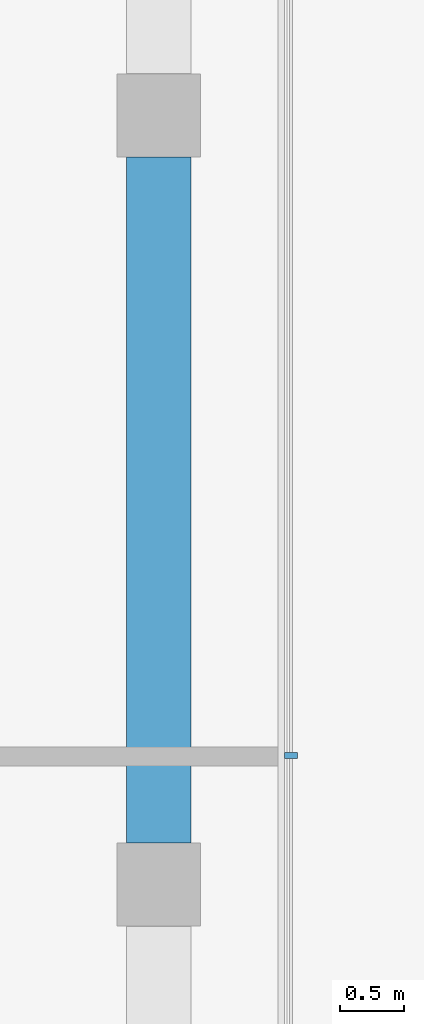
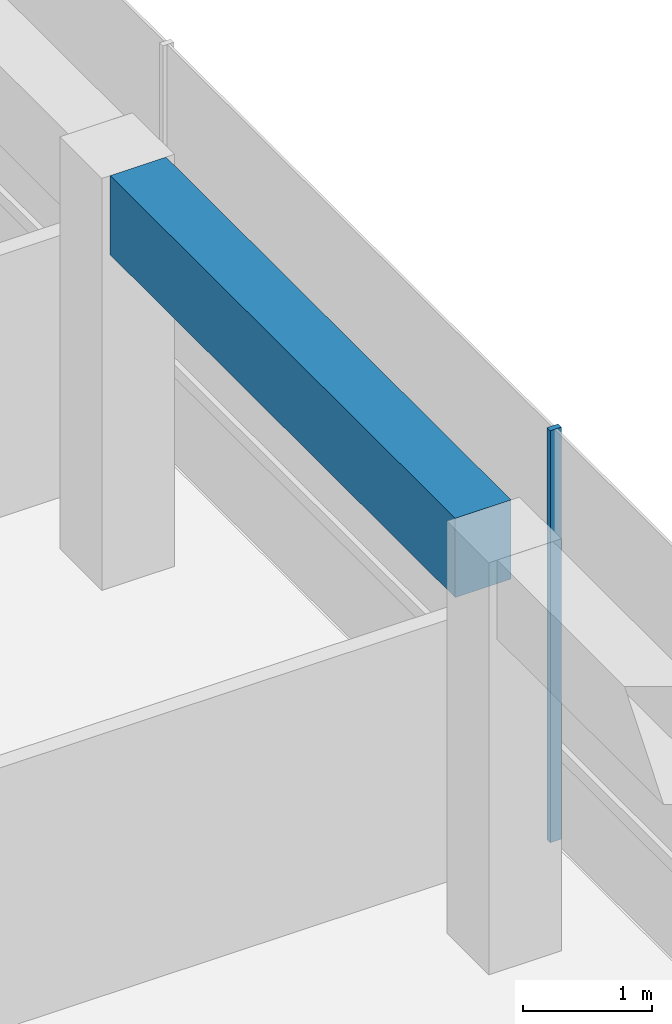
# One storey, part 11 of 19: 1 beam, 1 member, 1 element without a shape of its own.
"""IFC4 building model written with IfcOpenShell, lengths in metres."""

from ifc_helpers import new_model, si_unit, direction, frame, origin, origin_2d, place, context, subcontext, project, spatial, rectangle, extrude, material, layer, layer_set, material_profile, profile_set, type_object, element, aggregate, save


model = new_model("IFC4")

# Units and contexts
model_context = context("Model", 3, precision=1e-05, world=origin(), true_north=direction((0.0, 1.0)))
body_context = subcontext(model_context, "Body", "Model", "MODEL_VIEW")
ifc_project = project(units=[si_unit("LENGTHUNIT", "METRE"), si_unit("AREAUNIT", "SQUARE_METRE"), si_unit("VOLUMEUNIT", "CUBIC_METRE"), si_unit("PLANEANGLEUNIT", "RADIAN"), si_unit("MASSUNIT", "GRAM", prefix="KILO")], contexts=[model_context])

# Site, building, storey
site_placement = place(None, origin())
site = spatial("IfcSite", under=ifc_project, at=site_placement, CompositionType="ELEMENT")
building_placement = place(site_placement, origin())
building = spatial("IfcBuilding", under=site, at=building_placement, Name="Welwitschia Terrace Campus", CompositionType="ELEMENT")
storey_placement = place(building_placement, frame((0.0, 0.0, 323.0)))
storey = spatial("IfcBuildingStorey", under=building, at=storey_placement, Name="L72", CompositionType="ELEMENT", Elevation=323.0)

# Curtain wall, member
ifc_material_1 = material(Name="Bronze anodised aluminium", Category="aluminium")
ifc_layer = layer(ifc_material_1, 0.10009765625)
ifc_layer_set = layer_set([ifc_layer], Name="Bronze anodised aluminium")
curtain_wall_type = type_object("IfcCurtainWallType", Name="Curtain wall CW5 crown 6000", PredefinedType="NOTDEFINED", material=ifc_layer_set)
curtain_wall_placement = place(storey_placement, origin())
curtain_wall = element("IfcCurtainWall", 1, at=curtain_wall_placement, inside=storey, type_object=curtain_wall_type, Name="CW L72.6.0", PredefinedType="NOTDEFINED")
ifc_material_2 = material(Name="Bronze anodised aluminium", Category="aluminium")
ifc_material_profile_1 = material_profile(ifc_material_2, rectangle(XDim=0.10009765625, YDim=0.050048828125, at=origin_2d()))
ifc_profile_set_1 = profile_set([ifc_material_profile_1], Name="Bronze anodised aluminium")
member_type = type_object("IfcMemberType", Name="Mullion 50x100", PredefinedType="MULLION", material=ifc_profile_set_1)
member_placement = place(storey_placement, frame((25.030029296875, 39.0068359375, 0.0), z_axis=(0.0, 0.0, 1.0), x_axis=(-1.0, 0.0, 0.0)))
member = element("IfcMember", 2, at=member_placement, type_object=member_type, Name="Mullion L72.6.0.3", PredefinedType="MULLION", context=body_context, shape_type="SweptSolid", body=[
    extrude(rectangle(XDim=0.10009765625, YDim=0.050048828125, at=origin_2d()), origin(), (0.0, 0.0, 1.0), 3.89990234375),
])
aggregate(curtain_wall, [member])

# Beam
ifc_material_3 = material(Name="Concrete C40/50", Category="concrete")
ifc_material_profile_2 = material_profile(ifc_material_3, rectangle(XDim=0.5, YDim=0.75, at=origin_2d()))
ifc_profile_set_2 = profile_set([ifc_material_profile_2], Name="Concrete C40/50")
beam_type = type_object("IfcBeamType", Name="Ring spandrel 500x750", PredefinedType="SPANDREL", material=ifc_profile_set_2)
beam_placement = place(storey_placement, frame((24.0, 38.325439453125, 3.52490234375), z_axis=(0.0, 1.0, 0.0), x_axis=(-1.0, 0.0, 0.0)))
element("IfcBeam", 3, at=beam_placement, inside=storey, type_object=beam_type, Name="Spandrel SP5", PredefinedType="SPANDREL", context=body_context, shape_type="SweptSolid", body=[
    extrude(rectangle(XDim=0.5, YDim=0.75, at=origin_2d()), origin(), (0.0, 0.0, 1.0), 5.34912109375),
])

save(model, "model.ifc")
